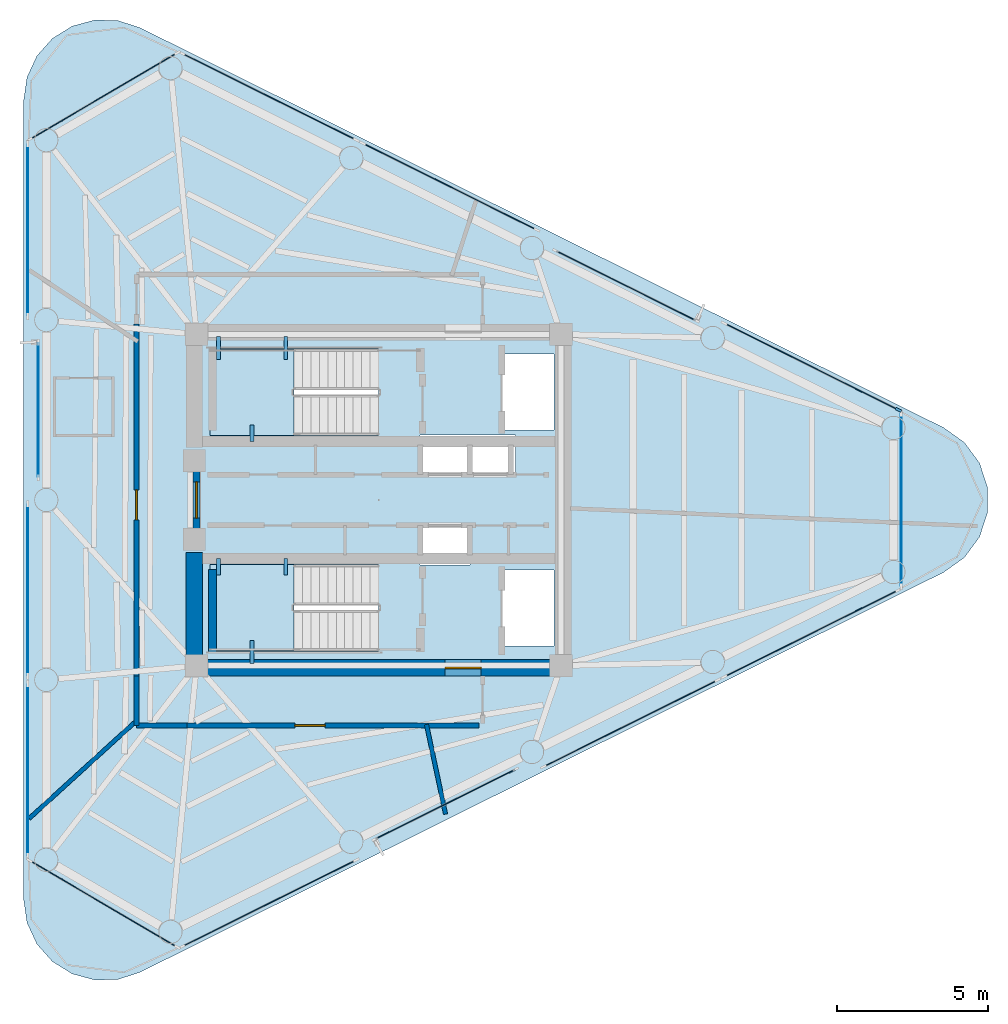
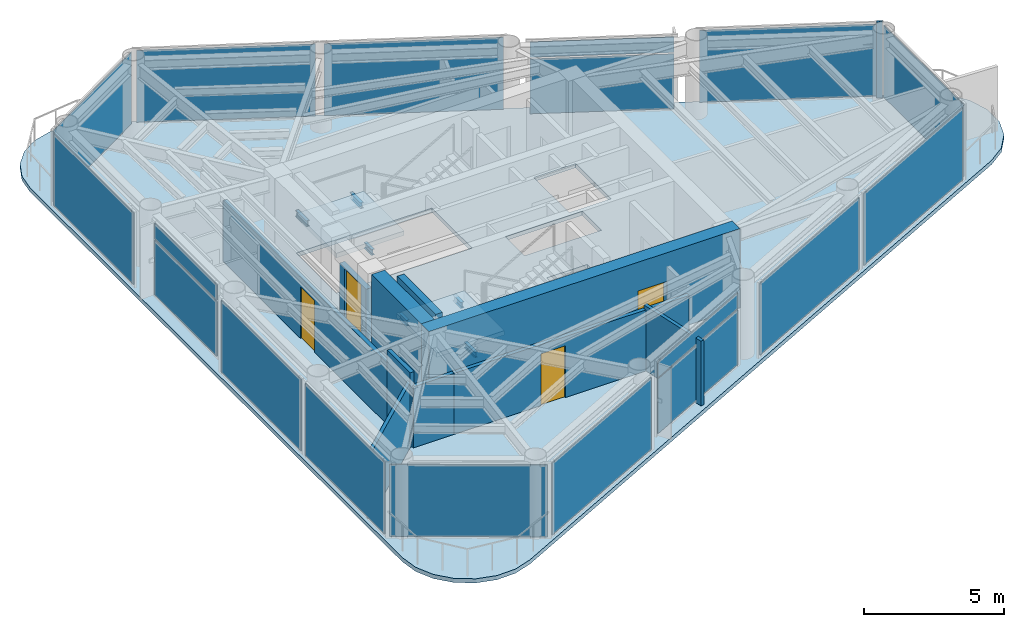
# One storey, part 4 of 10: 18 plates, 10 walls, 6 beams, 4 doors, 3 slabs, 1 member, 4 openings, 17 elements without a shape of their own.
"""IFC4 building model written with IfcOpenShell, lengths in metres."""

from ifc_helpers import new_model, si_unit, direction, frame, frame_2d, origin, origin_2d, place, context, subcontext, project, spatial, polyline, rectangle, i_section, outline, extrude, source, transform, mapped, material, layer, layer_set, material_profile, profile_set, type_object, element, fill, aggregate, save


model = new_model("IFC4")

# Units and contexts
model_context = context("Model", 3, precision=1e-05, world=origin(), true_north=direction((0.0, 1.0)))
body_context = subcontext(model_context, "Body", "Model", "MODEL_VIEW")
ifc_project = project(units=[si_unit("LENGTHUNIT", "METRE"), si_unit("AREAUNIT", "SQUARE_METRE"), si_unit("VOLUMEUNIT", "CUBIC_METRE"), si_unit("PLANEANGLEUNIT", "RADIAN"), si_unit("MASSUNIT", "GRAM", prefix="KILO")], contexts=[model_context])

# Site, building, storey
site_placement = place(None, origin())
site = spatial("IfcSite", under=ifc_project, at=site_placement, CompositionType="ELEMENT")
building_placement = place(site_placement, origin())
building = spatial("IfcBuilding", under=site, at=building_placement, Name="Yunling Apex Tower", CompositionType="ELEMENT")
storey_placement = place(building_placement, frame((0.0, 0.0, 293.300048828125)))
storey = spatial("IfcBuildingStorey", under=building, at=storey_placement, Name="L71", CompositionType="ELEMENT", Elevation=293.300048828125)

# Beams
ifc_material_1 = material(Name="Steel Q355B", Category="steel")
ifc_material_profile_1 = material_profile(ifc_material_1, i_section(OverallWidth=0.125, OverallDepth=0.25, WebThickness=0.006103515625, FlangeThickness=0.009033203125, FilletRadius=0.011962890625, at=origin_2d()))
ifc_profile_set_1 = profile_set([ifc_material_profile_1], Name="Steel Q355B")
beam_type = type_object("IfcBeamType", Name="BL-LNT-1", PredefinedType="LINTEL", material=ifc_profile_set_1)
shared_shape_1 = source(origin(), body_context, "Body", "SweptSolid", [
    extrude(i_section(OverallWidth=0.125, OverallDepth=0.25, WebThickness=0.006103515625, FlangeThickness=0.009033203125, FilletRadius=0.011962890625, at=origin_2d()), origin(), (0.0, 0.0, 1.0), 0.760009765625),
])
for number, where, z_axis, x_axis, name in (
    (1, (-5.320068359375, 5.419921875, 1.405029296875), (0.0, -1.0, 0.0), (1.0, 0.0, 0.0), "L71 ST-1 Landing Bearing Corbel 1-1"),
    (2, (-3.090087890625, 5.419921875, 1.405029296875), (0.0, -1.0, 0.0), (1.0, 0.0, 0.0), "L71 ST-1 Landing Bearing Corbel 1-2"),
    (3, (-4.205078125, -5.419921875, 1.405029296875), (0.0, 1.0, 0.0), (-1.0, 0.0, 0.0), "L71 ST-2 Landing Bearing Corbel 1-3"),
):
    element("IfcBeam", number, at=place(storey_placement, frame(where, z_axis=z_axis, x_axis=x_axis)), inside=storey, type_object=beam_type, Name=name, PredefinedType="LINTEL", context=body_context, shape_type="MappedRepresentation", body=[
        mapped(shared_shape_1, transform((0.0, 0.0, 0.0), scale=1.0)),
    ])
shared_shape_2 = source(origin(), body_context, "Body", "SweptSolid", [
    extrude(i_section(OverallWidth=0.125, OverallDepth=0.25, WebThickness=0.006103515625, FlangeThickness=0.009033203125, FilletRadius=0.011962890625, at=origin_2d()), origin(), (0.0, 0.0, 1.0), 0.550048828125),
])
for number, where, z_axis, x_axis, name in (
    (4, (-4.205078125, 1.93994140625, 1.405029296875), (0.0, 1.0, 0.0), (-1.0, 0.0, 0.0), "L71 ST-1 Landing Bearing Corbel 1-3"),
    (5, (-5.320068359375, -1.93994140625, 1.405029296875), (0.0, -1.0, 0.0), (1.0, 0.0, 0.0), "L71 ST-2 Landing Bearing Corbel 1-1"),
    (6, (-3.090087890625, -1.93994140625, 1.405029296875), (0.0, -1.0, 0.0), (1.0, 0.0, 0.0), "L71 ST-2 Landing Bearing Corbel 1-2"),
):
    element("IfcBeam", number, at=place(storey_placement, frame(where, z_axis=z_axis, x_axis=x_axis)), inside=storey, type_object=beam_type, Name=name, PredefinedType="LINTEL", context=body_context, shape_type="MappedRepresentation", body=[
        mapped(shared_shape_2, transform((0.0, 0.0, 0.0), scale=1.0)),
    ])

# Curtain wall, member
ifc_material_2 = material(Name="Bronze anodised aluminium", Category="aluminium")
ifc_layer_1 = layer(ifc_material_2, 0.219970703125)
ifc_layer_set_1 = layer_set([ifc_layer_1], Name="Bronze anodised aluminium")
curtain_wall_type = type_object("IfcCurtainWallType", Name="CW-SYS-4", PredefinedType="NOTDEFINED", material=ifc_layer_set_1)
curtain_wall_1_placement = place(storey_placement, origin())
curtain_wall_1 = element("IfcCurtainWall", 7, at=curtain_wall_1_placement, inside=storey, type_object=curtain_wall_type, Name="CW-L71-F2-B1", PredefinedType="NOTDEFINED")
ifc_material_profile_2 = material_profile(ifc_material_2, rectangle(XDim=0.080078125, YDim=0.219970703125, at=origin_2d()))
ifc_profile_set_2 = profile_set([ifc_material_profile_2], Name="Bronze anodised aluminium")
member_type = type_object("IfcMemberType", Name="CW-MUL-4", PredefinedType="MULLION", material=ifc_profile_set_2)
shared_shape_3 = source(origin(), body_context, "Body", "SweptSolid", [
    extrude(rectangle(XDim=0.080078125, YDim=0.219970703125, at=origin_2d()), origin(), (0.0, 0.0, 1.0), 3.3701171875),
])
member_placement = place(storey_placement, frame((17.2509765625, 2.990966796875, -0.050048828125), z_axis=(0.0, 0.0, 1.0), x_axis=(-0.445568135078, -0.895248030996, 0.0)))
member = element("IfcMember", 8, at=member_placement, type_object=member_type, Name="CW-SYS-4 mullion 1", PredefinedType="MULLION", context=body_context, shape_type="MappedRepresentation", body=[
    mapped(shared_shape_3, transform((0.0, 0.0, 0.0), scale=1.0)),
])

# Slab
ifc_material_3 = material(Name="Concrete C40", Category="concrete")
ifc_layer_2 = layer(ifc_material_3, 0.155029296875)
ifc_layer_set_2 = layer_set([ifc_layer_2], Name="Concrete C40")
slab_type_1 = type_object("IfcSlabType", Name="SL-FLR-3", PredefinedType="FLOOR", material=ifc_layer_set_2)
slab_1_placement = place(storey_placement, frame((0.0, 0.0, -0.179931640625)))
element("IfcSlab", 9, at=slab_1_placement, inside=storey, type_object=slab_type_1, Name="L71 Composite Tower Floor Slab", PredefinedType="FLOOR", context=body_context, shape_type="SweptSolid", body=[
    extrude(outline(polyline([(-11.787353515625, -13.2724609375), (-11.675048828125, -14.039794921875), (-11.347900390625, -14.742919921875), (-10.833251953125, -15.322998046875), (-10.173828125, -15.731201171875), (-9.42529296875, -15.93359375), (-8.650146484375, -15.913330078125), (-7.9130859375, -15.671875), (18.754150390625, -2.3994140625), (19.442138671875, -1.90771484375), (19.94287109375, -1.226318359375), (20.206298828125, -0.4228515625), (20.206298828125, 0.4228515625), (19.94287109375, 1.226318359375), (19.442138671875, 1.90771484375), (18.754150390625, 2.3994140625), (-7.9130859375, 15.671875), (-8.650146484375, 15.913330078125), (-9.42529296875, 15.93359375), (-10.173828125, 15.731201171875), (-10.833251953125, 15.322998046875), (-11.347900390625, 14.742919921875), (-11.675048828125, 14.039794921875), (-11.787353515625, 13.2724609375), (-11.787353515625, -13.2724609375)]), holes=[polyline([(4.090087890625, 4.840087890625), (5.81005859375, 4.840087890625), (5.81005859375, 2.320068359375), (4.090087890625, 2.320068359375), (4.090087890625, 4.840087890625)]), polyline([(4.090087890625, -4.840087890625), (4.090087890625, -2.320068359375), (5.81005859375, -2.320068359375), (5.81005859375, -4.840087890625), (4.090087890625, -4.840087890625)]), polyline([(4.534912109375, 0.794921875), (1.364990234375, 0.794921875), (1.364990234375, 2.1650390625), (4.534912109375, 2.1650390625), (4.534912109375, 0.794921875)]), polyline([(1.364990234375, -0.794921875), (3.034912109375, -0.794921875), (3.034912109375, -2.1650390625), (1.364990234375, -2.1650390625), (1.364990234375, -0.794921875)]), polyline([(-0.010009765625, -5.010009765625), (-5.60009765625, -5.010009765625), (-5.60009765625, -2.139892578125), (-0.010009765625, -2.139892578125), (-0.010009765625, -5.010009765625)]), polyline([(-0.010009765625, 2.139892578125), (-5.60009765625, 2.139892578125), (-5.60009765625, 5.010009765625), (-0.010009765625, 5.010009765625), (-0.010009765625, 2.139892578125)])]), origin(), (0.0, 0.0, 1.0), 0.179931640625),
])

# Stair, slab
stair_type = type_object("IfcStairType", Name="ST-TWR-3", PredefinedType="HALF_TURN_STAIR", material=ifc_material_3)
stair_1_placement = place(storey_placement, origin())
stair_1 = element("IfcStair", 10, at=stair_1_placement, inside=storey, type_object=stair_type, Name="L71 North Core Smokeproof Exit Stair ST-1", PredefinedType="HALF_TURN_STAIR")
ifc_layer_3 = layer(ifc_material_3, 0.195068359375)
ifc_layer_set_3 = layer_set([ifc_layer_3], Name="Concrete C40")
slab_type_2 = type_object("IfcSlabType", Name="SL-LND-1", PredefinedType="LANDING", material=ifc_layer_set_3)
slab_2_placement = place(storey_placement, frame((0.0, 0.0, 1.530029296875)))
slab_2 = element("IfcSlab", 11, at=slab_2_placement, type_object=slab_type_2, Name="ST-1 landing 1", PredefinedType="LANDING", context=body_context, shape_type="SweptSolid", body=[
    extrude(outline(polyline([(-2.81005859375, 5.010009765625), (-5.60009765625, 5.010009765625), (-5.60009765625, 2.139892578125), (-2.81005859375, 2.139892578125), (-2.81005859375, 5.010009765625)])), origin(), (0.0, 0.0, 1.0), 0.19482421875),
])
aggregate(stair_1, [slab_2])

stair_2_placement = place(storey_placement, origin())
stair_2 = element("IfcStair", 12, at=stair_2_placement, inside=storey, type_object=stair_type, Name="L71 South Core Smokeproof Exit Stair ST-2", PredefinedType="HALF_TURN_STAIR")
slab_3_placement = place(storey_placement, frame((0.0, 0.0, 1.530029296875)))
slab_3 = element("IfcSlab", 13, at=slab_3_placement, type_object=slab_type_2, Name="ST-2 landing 1", PredefinedType="LANDING", context=body_context, shape_type="SweptSolid", body=[
    extrude(outline(polyline([(-2.81005859375, -2.139892578125), (-5.60009765625, -2.139892578125), (-5.60009765625, -5.010009765625), (-2.81005859375, -5.010009765625), (-2.81005859375, -2.139892578125)])), origin(), (0.0, 0.0, 1.0), 0.19482421875),
])
aggregate(stair_2, [slab_3])

# Curtain wall, plate
curtain_wall_2_placement = place(storey_placement, origin())
curtain_wall_2 = element("IfcCurtainWall", 14, at=curtain_wall_2_placement, inside=storey, type_object=curtain_wall_type, Name="CW-L71-F1-B1", PredefinedType="NOTDEFINED")
ifc_material_4 = material(Name="Bronze tinted low-E glass", Category="glass")
ifc_layer_4 = layer(ifc_material_4, 0.030029296875)
ifc_layer_set_4 = layer_set([ifc_layer_4], Name="Bronze tinted low-E glass")
plate_type = type_object("IfcPlateType", Name="CW-PNL-4", PredefinedType="CURTAIN_PANEL", material=ifc_layer_set_4)
shared_shape_4 = source(origin(), body_context, "Body", "SweptSolid", [
    extrude(rectangle(XDim=6.398193359375, YDim=0.030029296875, at=origin_2d()), origin(), (0.0, 0.0, 1.0), 3.1259765625),
])
plate_1_placement = place(storey_placement, frame((-3.64208984375, -13.3896484375, 0.072021484375), z_axis=(0.0, 0.0, 1.0), x_axis=(0.895248030996, 0.445568135078, 0.0)))
plate_1 = element("IfcPlate", 15, at=plate_1_placement, type_object=plate_type, Name="CW-SYS-4 panel 1.1", PredefinedType="CURTAIN_PANEL", context=body_context, shape_type="MappedRepresentation", body=[
    mapped(shared_shape_4, transform((0.0, 0.0, 0.0), scale=1.0)),
])
aggregate(curtain_wall_2, [plate_1])

curtain_wall_3_placement = place(storey_placement, origin())
curtain_wall_3 = element("IfcCurtainWall", 16, at=curtain_wall_3_placement, inside=storey, type_object=curtain_wall_type, Name="CW-L71-F1-B3", PredefinedType="NOTDEFINED")
plate_2_placement = place(storey_placement, frame((8.358154296875, -7.4169921875, 0.072021484375), z_axis=(0.0, 0.0, 1.0), x_axis=(0.895241933715, 0.445580385698, 0.0)))
plate_2 = element("IfcPlate", 17, at=plate_2_placement, type_object=plate_type, Name="CW-SYS-4 panel 1.1", PredefinedType="CURTAIN_PANEL", context=body_context, shape_type="MappedRepresentation", body=[
    mapped(shared_shape_4, transform((0.0, 0.0, 0.0), scale=1.0)),
])
aggregate(curtain_wall_3, [plate_2])

curtain_wall_4_placement = place(storey_placement, origin())
curtain_wall_4 = element("IfcCurtainWall", 18, at=curtain_wall_4_placement, inside=storey, type_object=curtain_wall_type, Name="CW-L71-F1-B4", PredefinedType="NOTDEFINED")
plate_3_placement = place(storey_placement, frame((14.358154296875, -4.4306640625, 0.072021484375), z_axis=(0.0, 0.0, 1.0), x_axis=(0.895248030996, 0.445568135078, 0.0)))
plate_3 = element("IfcPlate", 19, at=plate_3_placement, type_object=plate_type, Name="CW-SYS-4 panel 1.1", PredefinedType="CURTAIN_PANEL", context=body_context, shape_type="MappedRepresentation", body=[
    mapped(shared_shape_4, transform((0.0, 0.0, 0.0), scale=1.0)),
])
aggregate(curtain_wall_4, [plate_3])

# Plate
plate_4_placement = place(storey_placement, frame((14.358154296875, 4.4306640625, 0.072021484375), z_axis=(0.0, 0.0, 1.0), x_axis=(-0.895248030996, 0.445568135078, 0.0)))
plate_4 = element("IfcPlate", 20, at=plate_4_placement, type_object=plate_type, Name="CW-SYS-4 panel 1.1", PredefinedType="CURTAIN_PANEL", context=body_context, shape_type="MappedRepresentation", body=[
    mapped(shared_shape_4, transform((0.0, 0.0, 0.0), scale=1.0)),
])

aggregate(curtain_wall_1, [member, plate_4])

# Curtain wall, plate
curtain_wall_5_placement = place(storey_placement, origin())
curtain_wall_5 = element("IfcCurtainWall", 21, at=curtain_wall_5_placement, inside=storey, type_object=curtain_wall_type, Name="CW-L71-F2-B3", PredefinedType="NOTDEFINED")
plate_5_placement = place(storey_placement, frame((2.35791015625, 10.4033203125, 0.072021484375), z_axis=(0.0, 0.0, 1.0), x_axis=(-0.895251065549, 0.445562037917, 0.0)))
plate_5 = element("IfcPlate", 22, at=plate_5_placement, type_object=plate_type, Name="CW-SYS-4 panel 1.1", PredefinedType="CURTAIN_PANEL", context=body_context, shape_type="MappedRepresentation", body=[
    mapped(shared_shape_4, transform((0.0, 0.0, 0.0), scale=1.0)),
])
aggregate(curtain_wall_5, [plate_5])

curtain_wall_6_placement = place(storey_placement, origin())
curtain_wall_6 = element("IfcCurtainWall", 23, at=curtain_wall_6_placement, inside=storey, type_object=curtain_wall_type, Name="CW-L71-F2-B4", PredefinedType="NOTDEFINED")
plate_6_placement = place(storey_placement, frame((-3.64208984375, 13.3896484375, 0.072021484375), z_axis=(0.0, 0.0, 1.0), x_axis=(-0.895248030996, 0.445568135078, 0.0)))
plate_6 = element("IfcPlate", 24, at=plate_6_placement, type_object=plate_type, Name="CW-SYS-4 panel 1.1", PredefinedType="CURTAIN_PANEL", context=body_context, shape_type="MappedRepresentation", body=[
    mapped(shared_shape_4, transform((0.0, 0.0, 0.0), scale=1.0)),
])
aggregate(curtain_wall_6, [plate_6])

curtain_wall_7_placement = place(storey_placement, origin())
curtain_wall_7 = element("IfcCurtainWall", 25, at=curtain_wall_7_placement, inside=storey, type_object=curtain_wall_type, Name="CW-L71-F1-B2", PredefinedType="NOTDEFINED")
shared_shape_5 = source(origin(), body_context, "Body", "SweptSolid", [
    extrude(rectangle(XDim=5.158203125, YDim=0.030029296875, at=origin_2d()), origin(), (0.0, 0.0, 1.0), 2.381103515625),
])
plate_7_placement = place(storey_placement, frame((2.20654296875, -10.09912109375, 0.07177734375), z_axis=(0.0, 0.0, 1.0), x_axis=(0.895251720611, 0.445560721723, 0.0)))
plate_7 = element("IfcPlate", 26, at=plate_7_placement, type_object=plate_type, Name="CW-SYS-4 panel 1.1", PredefinedType="CURTAIN_PANEL", context=body_context, shape_type="MappedRepresentation", body=[
    mapped(shared_shape_5, transform((0.0, 0.0, 0.0), scale=1.0)),
])

curtain_wall_8_placement = place(storey_placement, origin())
curtain_wall_8 = element("IfcCurtainWall", 27, at=curtain_wall_8_placement, inside=storey, type_object=curtain_wall_type, Name="CW-L71-F2-B2", PredefinedType="NOTDEFINED")
plate_8_placement = place(storey_placement, frame((8.206787109375, 7.11279296875, 0.07177734375), z_axis=(0.0, 0.0, 1.0), x_axis=(-0.895240453185, 0.445583360305, 0.0)))
plate_8 = element("IfcPlate", 28, at=plate_8_placement, type_object=plate_type, Name="CW-SYS-4 panel 1.1", PredefinedType="CURTAIN_PANEL", context=body_context, shape_type="MappedRepresentation", body=[
    mapped(shared_shape_5, transform((0.0, 0.0, 0.0), scale=1.0)),
])

# Plate
shared_shape_6 = source(origin(), body_context, "Body", "SweptSolid", [
    extrude(rectangle(XDim=5.158203125, YDim=0.030029296875, at=origin_2d()), origin(), (0.0, 0.0, 1.0), 0.680908203125),
])
plate_9_placement = place(storey_placement, frame((2.20654296875, -10.09912109375, 2.51708984375), z_axis=(0.0, 0.0, 1.0), x_axis=(0.895251720611, 0.445560721723, 0.0)))
plate_9 = element("IfcPlate", 29, at=plate_9_placement, type_object=plate_type, Name="CW-SYS-4 panel 1.2", PredefinedType="CURTAIN_PANEL", context=body_context, shape_type="MappedRepresentation", body=[
    mapped(shared_shape_6, transform((0.0, 0.0, 0.0), scale=1.0)),
])

aggregate(curtain_wall_7, [plate_7, plate_9])

plate_10_placement = place(storey_placement, frame((8.206787109375, 7.11279296875, 2.51708984375), z_axis=(0.0, 0.0, 1.0), x_axis=(-0.895240453185, 0.445583360305, 0.0)))
plate_10 = element("IfcPlate", 30, at=plate_10_placement, type_object=plate_type, Name="CW-SYS-4 panel 1.2", PredefinedType="CURTAIN_PANEL", context=body_context, shape_type="MappedRepresentation", body=[
    mapped(shared_shape_6, transform((0.0, 0.0, 0.0), scale=1.0)),
])

aggregate(curtain_wall_8, [plate_8, plate_10])

# Curtain wall, plate
curtain_wall_9_placement = place(storey_placement, origin())
curtain_wall_9 = element("IfcCurtainWall", 31, at=curtain_wall_9_placement, inside=storey, type_object=curtain_wall_type, Name="CW-L71-CRN1", PredefinedType="NOTDEFINED")
shared_shape_7 = source(origin(), body_context, "Body", "SweptSolid", [
    extrude(rectangle(XDim=5.6953125, YDim=0.030029296875, at=origin_2d()), origin(), (0.0, 0.0, 1.0), 3.1259765625),
])
plate_11_placement = place(storey_placement, frame((17.349365234375, 0.0, 0.072021484375), z_axis=(0.0, 0.0, 1.0), x_axis=(0.0, 1.0, 0.0)))
plate_11 = element("IfcPlate", 32, at=plate_11_placement, type_object=plate_type, Name="CW-SYS-4 panel 1.1", PredefinedType="CURTAIN_PANEL", context=body_context, shape_type="MappedRepresentation", body=[
    mapped(shared_shape_7, transform((0.0, 0.0, 0.0), scale=1.0)),
])
aggregate(curtain_wall_9, [plate_11])

curtain_wall_10_placement = place(storey_placement, origin())
curtain_wall_10 = element("IfcCurtainWall", 33, at=curtain_wall_10_placement, inside=storey, type_object=curtain_wall_type, Name="CW-L71-CRN2", PredefinedType="NOTDEFINED")
shared_shape_8 = source(origin(), body_context, "Body", "SweptSolid", [
    extrude(rectangle(XDim=5.62548828125, YDim=0.030029296875, at=origin_2d()), origin(), (0.0, 0.0, 1.0), 3.1259765625),
])
plate_12_placement = place(storey_placement, frame((-9.13916015625, 13.405029296875, 0.072021484375), z_axis=(0.0, 0.0, 1.0), x_axis=(-0.862499991399, -0.506057076658, 0.0)))
plate_12 = element("IfcPlate", 34, at=plate_12_placement, type_object=plate_type, Name="CW-SYS-4 panel 1.1", PredefinedType="CURTAIN_PANEL", context=body_context, shape_type="MappedRepresentation", body=[
    mapped(shared_shape_8, transform((0.0, 0.0, 0.0), scale=1.0)),
])
aggregate(curtain_wall_10, [plate_12])

curtain_wall_11_placement = place(storey_placement, origin())
curtain_wall_11 = element("IfcCurtainWall", 35, at=curtain_wall_11_placement, inside=storey, type_object=curtain_wall_type, Name="CW-L71-CRN3", PredefinedType="NOTDEFINED")
plate_13_placement = place(storey_placement, frame((-9.13916015625, -13.405029296875, 0.072021484375), z_axis=(0.0, 0.0, 1.0), x_axis=(0.862492426173, -0.506069970256, 0.0)))
plate_13 = element("IfcPlate", 36, at=plate_13_placement, type_object=plate_type, Name="CW-SYS-4 panel 1.1", PredefinedType="CURTAIN_PANEL", context=body_context, shape_type="MappedRepresentation", body=[
    mapped(shared_shape_8, transform((0.0, 0.0, 0.0), scale=1.0)),
])
aggregate(curtain_wall_11, [plate_13])

curtain_wall_12_placement = place(storey_placement, origin())
curtain_wall_12 = element("IfcCurtainWall", 37, at=curtain_wall_12_placement, inside=storey, type_object=curtain_wall_type, Name="CW-L71-F3-B1", PredefinedType="NOTDEFINED")
shared_shape_9 = source(origin(), body_context, "Body", "SweptSolid", [
    extrude(rectangle(XDim=5.668701171875, YDim=0.030029296875, at=origin_2d()), origin(), (0.0, 0.0, 1.0), 3.1259765625),
])
plate_14_placement = place(storey_placement, frame((-11.647216796875, 8.958984375, 0.072021484375), z_axis=(0.0, 0.0, 1.0), x_axis=(0.0, -1.0, 0.0)))
plate_14 = element("IfcPlate", 38, at=plate_14_placement, type_object=plate_type, Name="CW-SYS-4 panel 1.1", PredefinedType="CURTAIN_PANEL", context=body_context, shape_type="MappedRepresentation", body=[
    mapped(shared_shape_9, transform((0.0, 0.0, 0.0), scale=1.0)),
])
aggregate(curtain_wall_12, [plate_14])

curtain_wall_13_placement = place(storey_placement, origin())
curtain_wall_13 = element("IfcCurtainWall", 39, at=curtain_wall_13_placement, inside=storey, type_object=curtain_wall_type, Name="CW-L71-F3-B3", PredefinedType="NOTDEFINED")
plate_15_placement = place(storey_placement, frame((-11.647216796875, -2.986328125, 0.072021484375), z_axis=(0.0, 0.0, 1.0), x_axis=(0.0, -1.0, 0.0)))
plate_15 = element("IfcPlate", 40, at=plate_15_placement, type_object=plate_type, Name="CW-SYS-4 panel 1.1", PredefinedType="CURTAIN_PANEL", context=body_context, shape_type="MappedRepresentation", body=[
    mapped(shared_shape_9, transform((0.0, 0.0, 0.0), scale=1.0)),
])
aggregate(curtain_wall_13, [plate_15])

curtain_wall_14_placement = place(storey_placement, origin())
curtain_wall_14 = element("IfcCurtainWall", 41, at=curtain_wall_14_placement, inside=storey, type_object=curtain_wall_type, Name="CW-L71-F3-B4", PredefinedType="NOTDEFINED")
plate_16_placement = place(storey_placement, frame((-11.647216796875, -8.958984375, 0.072021484375), z_axis=(0.0, 0.0, 1.0), x_axis=(0.0, -1.0, 0.0)))
plate_16 = element("IfcPlate", 42, at=plate_16_placement, type_object=plate_type, Name="CW-SYS-4 panel 1.1", PredefinedType="CURTAIN_PANEL", context=body_context, shape_type="MappedRepresentation", body=[
    mapped(shared_shape_9, transform((0.0, 0.0, 0.0), scale=1.0)),
])
aggregate(curtain_wall_14, [plate_16])

# Curtain wall, plates
curtain_wall_15_placement = place(storey_placement, origin())
curtain_wall_15 = element("IfcCurtainWall", 43, at=curtain_wall_15_placement, inside=storey, type_object=curtain_wall_type, Name="CW-L71-F3-B2", PredefinedType="NOTDEFINED")
shared_shape_10 = source(origin(), body_context, "Body", "SweptSolid", [
    extrude(rectangle(XDim=4.4287109375, YDim=0.030029296875, at=origin_2d()), origin(), (0.0, 0.0, 1.0), 2.381103515625),
])
plate_17_placement = place(storey_placement, frame((-11.307373046875, 2.986328125, 0.07177734375), z_axis=(0.0, 0.0, 1.0), x_axis=(0.0, -1.0, 0.0)))
plate_17 = element("IfcPlate", 44, at=plate_17_placement, type_object=plate_type, Name="CW-SYS-4 panel 1.1", PredefinedType="CURTAIN_PANEL", context=body_context, shape_type="MappedRepresentation", body=[
    mapped(shared_shape_10, transform((0.0, 0.0, 0.0), scale=1.0)),
])
shared_shape_11 = source(origin(), body_context, "Body", "SweptSolid", [
    extrude(rectangle(XDim=4.4287109375, YDim=0.030029296875, at=origin_2d()), origin(), (0.0, 0.0, 1.0), 0.680908203125),
])
plate_18_placement = place(storey_placement, frame((-11.307373046875, 2.986328125, 2.51708984375), z_axis=(0.0, 0.0, 1.0), x_axis=(0.0, -1.0, 0.0)))
plate_18 = element("IfcPlate", 45, at=plate_18_placement, type_object=plate_type, Name="CW-SYS-4 panel 1.2", PredefinedType="CURTAIN_PANEL", context=body_context, shape_type="MappedRepresentation", body=[
    mapped(shared_shape_11, transform((0.0, 0.0, 0.0), scale=1.0)),
])
aggregate(curtain_wall_15, [plate_17, plate_18])

# Wall, opening, door
ifc_layer_5 = layer(ifc_material_3, 0.550048828125)
ifc_layer_set_5 = layer_set([ifc_layer_5], Name="Concrete C40")
wall_type_1 = type_object("IfcWallType", Name="WL-COR-3", PredefinedType="SHEAR", material=ifc_layer_set_5)
wall_1_placement = place(storey_placement, frame((-6.39990234375, -5.574951171875, 0.0), z_axis=(0.0, 0.0, 1.0), x_axis=(1.0, 0.0, 0.0)))
wall_1 = element("IfcWall", 46, at=wall_1_placement, inside=storey, type_object=wall_type_1, Name="L71 South Core Shear Wall", PredefinedType="SHEAR", context=body_context, shape_type="SweptSolid", body=[
    extrude(rectangle(XDim=12.7998046875, YDim=0.550048828125, at=frame_2d((6.39990234375, 0.0))), origin(), (0.0, 0.0, 1.0), 3.449951171875),
])
opening_1_placement = place(wall_1_placement, frame((8.60009765625, 0.0, 0.0)))
opening_1 = element("IfcOpeningElement", 47, at=opening_1_placement, cuts=wall_1, Name="Opening DR-FFL-1", PredefinedType="OPENING", context=body_context, shape_type="SweptSolid", body=[
    extrude(rectangle(XDim=1.199951171875, YDim=2.199951171875, at=frame_2d((0.60009765625, 1.10009765625))), frame((0.0, 0.28515625, 0.0), z_axis=(0.0, -1.0, 0.0), x_axis=(1.0, 0.0, 0.0)), (0.0, 0.0, 1.0), 0.570068359375),
])
door_type_1 = type_object("IfcDoorType", Name="DR-FFL-1", OperationType="NOTDEFINED", PredefinedType="DOOR", material=ifc_material_1)
door_1_placement = place(opening_1_placement, origin())
door_1 = element("IfcDoor", 48, at=door_1_placement, inside=storey, type_object=door_type_1, Name="L71 South Firefighting Lobby Door", OperationType="SINGLE_SWING_RIGHT", OverallHeight=2.199951171875, OverallWidth=1.199951171875, PredefinedType="DOOR", context=body_context, shape_type="SweptSolid", body=[
    extrude(rectangle(XDim=1.199951171875, YDim=2.199951171875, at=frame_2d((0.60009765625, 1.10009765625))), frame((0.0, 0.02490234375, 0.0), z_axis=(0.0, -1.0, 0.0), x_axis=(1.0, 0.0, 0.0)), (0.0, 0.0, 1.0), 0.050048828125),
])
fill(opening_1, door_1)

# Walls
wall_2_placement = place(storey_placement, frame((-6.125, -5.300048828125, 0.0), z_axis=(0.0, 0.0, 1.0), x_axis=(0.0, 1.0, 0.0)))
element("IfcWall", 49, at=wall_2_placement, inside=storey, type_object=wall_type_1, Name="L71 West-South Core Shear Wall", PredefinedType="SHEAR", context=body_context, shape_type="SweptSolid", body=[
    extrude(rectangle(XDim=3.550048828125, YDim=0.550048828125, at=frame_2d((1.77490234375, 0.0))), origin(), (0.0, 0.0, 1.0), 3.449951171875),
])
ifc_layer_6 = layer(ifc_material_3, 0.280029296875)
ifc_layer_set_6 = layer_set([ifc_layer_6], Name="Concrete C40")
wall_type_2 = type_object("IfcWallType", Name="WL-COR-8", PredefinedType="SHEAR", material=ifc_layer_set_6)
wall_3_placement = place(storey_placement, frame((-5.52001953125, -5.050048828125, 0.0), z_axis=(0.0, 0.0, 1.0), x_axis=(0.0, 1.0, 0.0)))
element("IfcWall", 50, at=wall_3_placement, inside=storey, type_object=wall_type_2, Name="L71 ST-2 West Landing Bearing Wall", PredefinedType="SHEAR", context=body_context, shape_type="SweptSolid", body=[
    extrude(rectangle(XDim=2.75, YDim=0.280029296875, at=frame_2d((1.375, 0.0))), origin(), (0.0, 0.0, 1.0), 3.449951171875),
])

# Wall, opening, door
ifc_material_5 = material(Name="Gypsum board acoustic partition")
ifc_layer_7 = layer(ifc_material_5, 0.159912109375)
ifc_layer_set_7 = layer_set([ifc_layer_7], Name="Gypsum board acoustic partition")
wall_type_3 = type_object("IfcWallType", Name="WL-PRT-1", PredefinedType="PARTITIONING", material=ifc_layer_set_7)
wall_4_placement = place(storey_placement, frame((3.319091796875, -7.489990234375, 0.0), z_axis=(0.0, 0.0, 1.0), x_axis=(-1.0, 0.0, 0.0)))
wall_4 = element("IfcWall", 51, at=wall_4_placement, inside=storey, type_object=wall_type_3, Name="WL-CORR-L71-06", PredefinedType="PARTITIONING", context=body_context, shape_type="SweptSolid", body=[
    extrude(rectangle(XDim=9.67919921875, YDim=0.159912109375, at=frame_2d((4.839599609375, 0.0))), origin(), (0.0, 0.0, 1.0), 2.655029296875),
])
opening_2_placement = place(wall_4_placement, frame((5.101318359375, 0.0, 0.0)))
opening_2 = element("IfcOpeningElement", 52, at=opening_2_placement, cuts=wall_4, Name="Opening DR-OFF-1", PredefinedType="OPENING", context=body_context, shape_type="SweptSolid", body=[
    extrude(rectangle(XDim=1.0, YDim=2.25, at=frame_2d((0.5, 1.125))), frame((0.0, 0.08984375, 0.0), z_axis=(0.0, -1.0, 0.0), x_axis=(1.0, 0.0, 0.0)), (0.0, 0.0, 1.0), 0.179931640625),
])
door_type_2 = type_object("IfcDoorType", Name="DR-OFF-1", OperationType="NOTDEFINED", PredefinedType="DOOR", material=ifc_material_2)
door_2_placement = place(opening_2_placement, origin())
door_2 = element("IfcDoor", 53, at=door_2_placement, inside=storey, type_object=door_type_2, Name="L71 Residents Reading Lounge Door", OperationType="SINGLE_SWING_RIGHT", OverallHeight=2.25, OverallWidth=1.0, PredefinedType="DOOR", context=body_context, shape_type="SweptSolid", body=[
    extrude(rectangle(XDim=1.0, YDim=2.25, at=frame_2d((0.5, 1.125))), frame((0.0, 0.02490234375, 0.0), z_axis=(0.0, -1.0, 0.0), x_axis=(1.0, 0.0, 0.0)), (0.0, 0.0, 1.0), 0.050048828125),
])
fill(opening_2, door_2)

# Walls
wall_5_placement = place(storey_placement, frame((-6.360107421875, -7.489990234375, 0.0), z_axis=(0.0, 0.0, 1.0), x_axis=(-1.0, 0.0, 0.0)))
element("IfcWall", 54, at=wall_5_placement, inside=storey, type_object=wall_type_3, Name="WL-CORR-L71-07", PredefinedType="PARTITIONING", context=body_context, shape_type="SweptSolid", body=[
    extrude(rectangle(XDim=1.679931640625, YDim=0.159912109375, at=frame_2d((0.83984375, 0.0))), origin(), (0.0, 0.0, 1.0), 2.655029296875),
])
wall_6_placement = place(storey_placement, frame((-8.0400390625, -7.489990234375, 0.0), z_axis=(0.0, 0.0, 1.0), x_axis=(0.0, 1.0, 0.0)))
element("IfcWall", 55, at=wall_6_placement, inside=storey, type_object=wall_type_3, Name="WL-CORR-L71-08", PredefinedType="PARTITIONING", context=body_context, shape_type="SweptSolid", body=[
    extrude(rectangle(XDim=1.639892578125, YDim=0.159912109375, at=frame_2d((0.81982421875, 0.0))), origin(), (0.0, 0.0, 1.0), 3.25),
])

# Wall, opening, door
wall_7_placement = place(storey_placement, frame((-8.0400390625, -5.85009765625, 0.0), z_axis=(0.0, 0.0, 1.0), x_axis=(0.0, 1.0, 0.0)))
wall_7 = element("IfcWall", 56, at=wall_7_placement, inside=storey, type_object=wall_type_3, Name="WL-CORR-L71-09", PredefinedType="PARTITIONING", context=body_context, shape_type="SweptSolid", body=[
    extrude(rectangle(XDim=11.7001953125, YDim=0.159912109375, at=frame_2d((5.85009765625, 0.0))), origin(), (0.0, 0.0, 1.0), 2.655029296875),
])
opening_3_placement = place(wall_7_placement, frame((5.188720703125, 0.0, 0.0)))
opening_3 = element("IfcOpeningElement", 57, at=opening_3_placement, cuts=wall_7, Name="Opening DR-OFF-1", PredefinedType="OPENING", context=body_context, shape_type="SweptSolid", body=[
    extrude(rectangle(XDim=1.0, YDim=2.25, at=frame_2d((0.5, 1.125))), frame((0.0, 0.08984375, 0.0), z_axis=(0.0, -1.0, 0.0), x_axis=(1.0, 0.0, 0.0)), (0.0, 0.0, 1.0), 0.179931640625),
])
door_3_placement = place(opening_3_placement, origin())
door_3 = element("IfcDoor", 58, at=door_3_placement, inside=storey, type_object=door_type_2, Name="L71 Parcel Archive Store Door", OperationType="SINGLE_SWING_LEFT", OverallHeight=2.25, OverallWidth=1.0, PredefinedType="DOOR", context=body_context, shape_type="SweptSolid", body=[
    extrude(rectangle(XDim=1.0, YDim=2.25, at=frame_2d((0.5, 1.125))), frame((0.0, 0.02490234375, 0.0), z_axis=(0.0, -1.0, 0.0), x_axis=(1.0, 0.0, 0.0)), (0.0, 0.0, 1.0), 0.050048828125),
])
fill(opening_3, door_3)

# Walls
ifc_layer_8 = layer(ifc_material_5, 0.139892578125)
ifc_layer_set_8 = layer_set([ifc_layer_8], Name="Gypsum board acoustic partition")
wall_type_4 = type_object("IfcWallType", Name="WL-PRT-2", PredefinedType="PARTITIONING", material=ifc_layer_set_8)
wall_8_placement = place(storey_placement, frame((-8.0, -7.2880859375, 0.0), z_axis=(0.0, 0.0, 1.0), x_axis=(-0.739260540131, -0.673419522886, 0.0)))
element("IfcWall", 59, at=wall_8_placement, inside=storey, type_object=wall_type_4, Name="WL-RAD-L71-04", PredefinedType="PARTITIONING", context=body_context, shape_type="SweptSolid", body=[
    extrude(rectangle(XDim=4.8798828125, YDim=0.139892578125, at=frame_2d((2.43994140625, 0.0))), origin(), (0.0, 0.0, 1.0), 2.81494140625),
])
wall_9_placement = place(storey_placement, frame((1.58349609375, -7.449951171875, 0.0), z_axis=(0.0, 0.0, 1.0), x_axis=(0.207941206443, -0.978141326529, 0.0)))
element("IfcWall", 60, at=wall_9_placement, inside=storey, type_object=wall_type_4, Name="WL-RAD-L71-05", PredefinedType="PARTITIONING", context=body_context, shape_type="SweptSolid", body=[
    extrude(rectangle(XDim=3.045654296875, YDim=0.139892578125, at=frame_2d((1.52294921875, 0.0))), origin(), (0.0, 0.0, 1.0), 2.81494140625),
])

# Wall, opening, door
ifc_material_6 = material(Name="Autoclaved aerated concrete masonry", Category="masonry")
ifc_layer_9 = layer(ifc_material_6, 0.219970703125)
ifc_layer_set_9 = layer_set([ifc_layer_9], Name="Autoclaved aerated concrete masonry")
wall_type_5 = type_object("IfcWallType", Name="WL-SHF-1", PredefinedType="PLUMBINGWALL", material=ifc_layer_set_9)
wall_10_placement = place(storey_placement, frame((-6.050048828125, -0.949951171875, 0.0), z_axis=(0.0, 0.0, 1.0), x_axis=(0.0, 1.0, 0.0)))
wall_10 = element("IfcWall", 61, at=wall_10_placement, inside=storey, type_object=wall_type_5, Name="WL-COR-WPORT-L71", PredefinedType="PLUMBINGWALL", context=body_context, shape_type="SweptSolid", body=[
    extrude(rectangle(XDim=1.89990234375, YDim=0.219970703125, at=frame_2d((0.949951171875, 0.0))), origin(), (0.0, 0.0, 1.0), 2.22998046875),
])
opening_4_placement = place(wall_10_placement, frame((0.35009765625, 0.0, 0.0)))
opening_4 = element("IfcOpeningElement", 62, at=opening_4_placement, cuts=wall_10, Name="Opening DR-FFL-1", PredefinedType="OPENING", context=body_context, shape_type="SweptSolid", body=[
    extrude(rectangle(XDim=1.199951171875, YDim=2.199951171875, at=frame_2d((0.60009765625, 1.10009765625))), frame((0.0, 0.1201171875, 0.0), z_axis=(0.0, -1.0, 0.0), x_axis=(1.0, 0.0, 0.0)), (0.0, 0.0, 1.0), 0.239990234375),
])
door_4_placement = place(opening_4_placement, origin())
door_4 = element("IfcDoor", 63, at=door_4_placement, inside=storey, type_object=door_type_1, Name="L71 Passenger Lift Lobby Entrance Door", OperationType="SINGLE_SWING_LEFT", OverallHeight=2.199951171875, OverallWidth=1.199951171875, PredefinedType="DOOR", context=body_context, shape_type="SweptSolid", body=[
    extrude(rectangle(XDim=1.199951171875, YDim=2.199951171875, at=frame_2d((0.60009765625, 1.10009765625))), frame((0.0, 0.02490234375, 0.0), z_axis=(0.0, -1.0, 0.0), x_axis=(1.0, 0.0, 0.0)), (0.0, 0.0, 1.0), 0.050048828125),
])
fill(opening_4, door_4)

save(model, "model.ifc")
